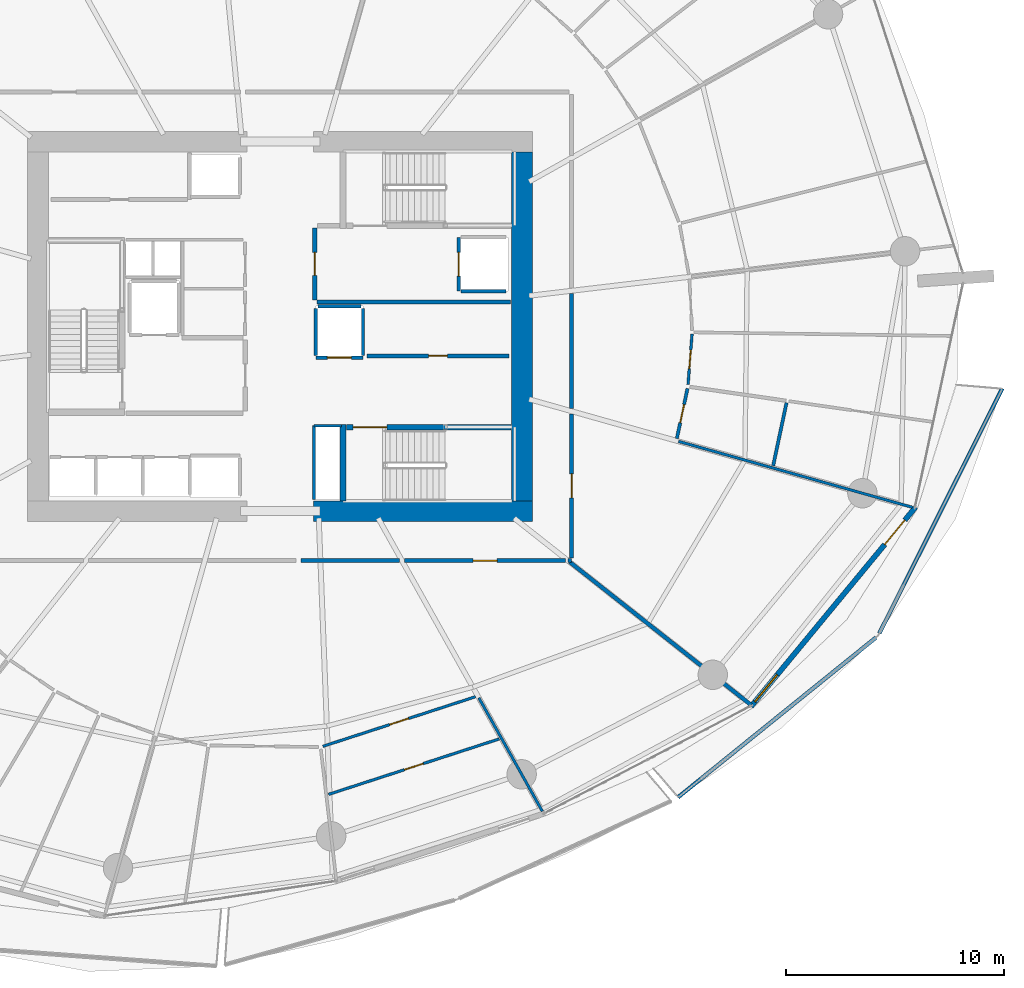
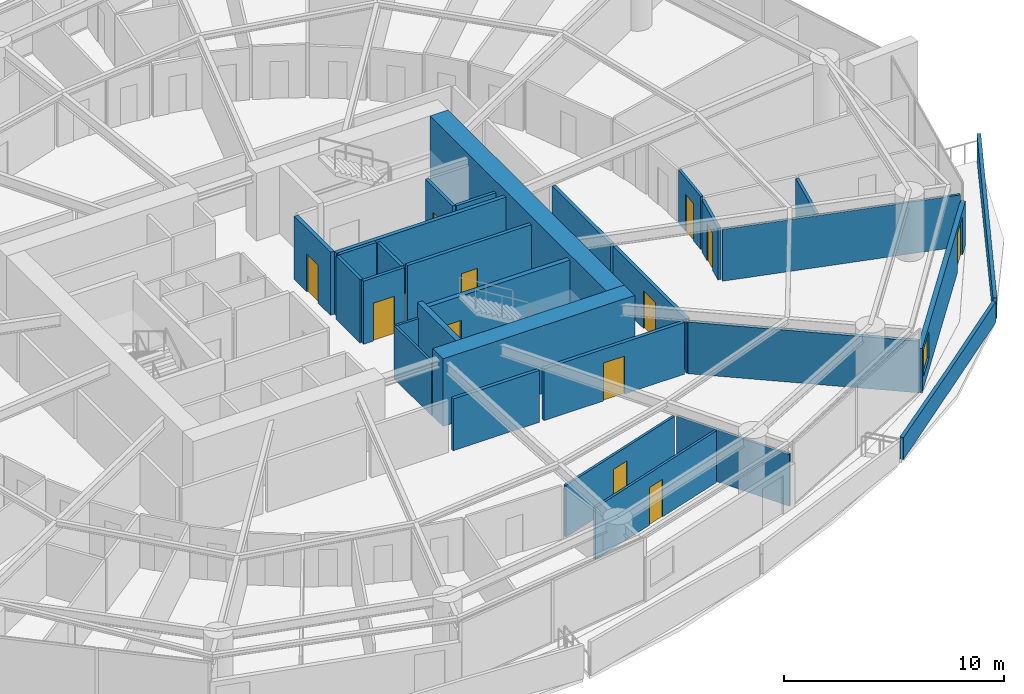
# One storey, part 21 of 31: 31 walls, 12 doors, 1 window, 13 openings.
"""IFC4 building model written with IfcOpenShell, lengths in metres."""

import ifcopenshell
import ifcopenshell.guid

model = None  # the IFC model being written
_history = None  # IfcOwnerHistory: only IFC2X3 demands one
_inside = {}  # id of a spatial element -> (the spatial element, [elements in it])
_under = {}  # id of a project, library or spatial element -> (it, [spatial elements below it])
_declared = {}  # id of a project -> (the project, [libraries it declares])
_typed = {}  # id of a type object -> (the type object, [elements of that type])
_made_of = {}  # id of a material, layer set ... -> (it, [elements and type objects made of it])


def new_model(schema):
    """Start an empty IFC model of exactly this schema.

    Asked for "IFC4X3", IfcOpenShell would pick the latest addendum, in which some entities
    have other attributes; the version numbers below select the first issue.
    IFC2X3 requires an IfcOwnerHistory on every rooted entity: one is made here for all.
    """
    global model, _history
    if schema == "IFC4X3":
        model = ifcopenshell.file(schema_version=(4, 3, 0, 0))
    else:
        model = ifcopenshell.file(schema=schema)
    _inside.clear()
    _under.clear()
    _declared.clear()
    _typed.clear()
    _made_of.clear()
    _history = None
    if model.schema == "IFC2X3":
        org = make("IfcOrganization", Name="unknown")
        user = make(
            "IfcPersonAndOrganization",
            ThePerson=make("IfcPerson", FamilyName="unknown"),
            TheOrganization=org,
        )
        app = make(
            "IfcApplication",
            ApplicationDeveloper=org,
            Version="unknown",
            ApplicationFullName="unknown",
            ApplicationIdentifier="unknown",
        )
        _history = make(
            "IfcOwnerHistory",
            OwningUser=user,
            OwningApplication=app,
            ChangeAction="ADDED",
            CreationDate=0,
        )
    return model


def make(cls, **values):
    """One entity of the class cls with the attributes given. An attribute that is None is left unset."""
    return model.create_entity(
        cls, **{name: value for name, value in values.items() if value is not None}
    )


def rooted(cls, **values):
    """An entity with a GlobalId (a new one), such as an element, a storey or a relation."""
    return make(cls, GlobalId=ifcopenshell.guid.new(), OwnerHistory=_history, **values)


def si_unit(unit_type, name, prefix=None):
    """IfcSIUnit, for example si_unit("LENGTHUNIT", "METRE", prefix="MILLI")."""
    return make("IfcSIUnit", UnitType=unit_type, Prefix=prefix, Name=name)


def assignment(units):
    """IfcUnitAssignment: the units of a project."""
    return None if units is None else make("IfcUnitAssignment", Units=units)


def point(xyz):
    """IfcCartesianPoint."""
    return None if xyz is None else make("IfcCartesianPoint", Coordinates=xyz)


def direction(xyz):
    """IfcDirection."""
    return None if xyz is None else make("IfcDirection", DirectionRatios=xyz)


def frame(location, z_axis=None, x_axis=None):
    """IfcAxis2Placement3D, a coordinate frame: its origin and axes. An axis left out is left unset."""
    return make(
        "IfcAxis2Placement3D",
        Location=point(location),
        Axis=direction(z_axis),
        RefDirection=direction(x_axis),
    )


def frame_2d(location, x_axis=None):
    """IfcAxis2Placement2D, a coordinate frame in the plane: its origin and x axis."""
    return make(
        "IfcAxis2Placement2D", Location=point(location), RefDirection=direction(x_axis)
    )


def origin():
    """The frame at (0, 0, 0) with its axes left unset."""
    return frame((0.0, 0.0, 0.0))


def place(relative_to, where):
    """IfcLocalPlacement: puts the frame where relative to a parent placement (None: the world)."""
    return make(
        "IfcLocalPlacement", PlacementRelTo=relative_to, RelativePlacement=where
    )


def context(
    kind, dimensions, precision=None, world=None, true_north=None, identifier=None
):
    """IfcGeometricRepresentationContext, for example the 3D "Model" context."""
    return make(
        "IfcGeometricRepresentationContext",
        ContextIdentifier=identifier,
        ContextType=kind,
        CoordinateSpaceDimension=dimensions,
        Precision=precision,
        WorldCoordinateSystem=world,
        TrueNorth=true_north,
    )


def subcontext(parent, identifier, kind, view, scale=None):
    """IfcGeometricRepresentationSubContext, for example "Body" below "Model"."""
    return make(
        "IfcGeometricRepresentationSubContext",
        ContextIdentifier=identifier,
        ContextType=kind,
        ParentContext=parent,
        TargetScale=scale,
        TargetView=view,
    )


def project(units=None, contexts=None):
    """IfcProject with its units and contexts."""
    return rooted(
        "IfcProject",
        Name="project",
        RepresentationContexts=contexts,
        UnitsInContext=assignment(units),
    )


def spatial(cls, under=None, at=None, **own):
    """A site, building, storey or space (cls), placed at a placement, below another one or the project."""
    s = rooted(cls, ObjectPlacement=at, **own)
    if under is not None:
        _under.setdefault(under.id(), (under, []))[1].append(s)
    return s


def polyline(points):
    """IfcPolyline through the points."""
    return make("IfcPolyline", Points=[point(p) for p in points])


def profile(cls, at=None, kind="AREA", **sizes):
    """A parametric profile (cls). Its sizes go by their IFC names, for example OverallWidth=200.0."""
    return make(cls, ProfileType=kind, Position=at, **sizes)


def rectangle(**sizes):
    """IfcRectangleProfileDef."""
    return profile("IfcRectangleProfileDef", **sizes)


def outline(outer, holes=None, kind="AREA"):
    """IfcArbitraryClosedProfileDef: a profile drawn as a closed curve; with holes, ...WithVoids."""
    if holes is None:
        return make("IfcArbitraryClosedProfileDef", ProfileType=kind, OuterCurve=outer)
    return make(
        "IfcArbitraryProfileDefWithVoids",
        ProfileType=kind,
        OuterCurve=outer,
        InnerCurves=holes,
    )


def extrude(swept, where, along, depth):
    """IfcExtrudedAreaSolid: the profile swept, set in the frame where, extruded along a direction by depth."""
    return make(
        "IfcExtrudedAreaSolid",
        SweptArea=swept,
        Position=where,
        ExtrudedDirection=direction(along),
        Depth=depth,
    )


def shape(context_of_items, identifier, shape_type, items):
    """IfcShapeRepresentation: the items that make up one representation, for example the "Body"."""
    return make(
        "IfcShapeRepresentation",
        ContextOfItems=context_of_items,
        RepresentationIdentifier=identifier,
        RepresentationType=shape_type,
        Items=items,
    )


def material(Name=None, Category=None):
    """IfcMaterial."""
    return make("IfcMaterial", Name=Name, Category=Category)


def layer(
    of_material, thickness, ventilated=None, Name=None, Category=None, Priority=None
):
    """IfcMaterialLayer: one layer of a wall or slab, of a material (None: an air gap)."""
    return make(
        "IfcMaterialLayer",
        Material=of_material,
        LayerThickness=thickness,
        IsVentilated=ventilated,
        Name=Name,
        Category=Category,
        Priority=Priority,
    )


def layer_set(layers, Name=None):
    """IfcMaterialLayerSet."""
    return make("IfcMaterialLayerSet", MaterialLayers=layers, LayerSetName=Name)


def made_of(thing, what):
    """Note that an element or type object is made of a material, layer set ...; save() writes the relation."""
    if what is not None:
        _made_of.setdefault(what.id(), (what, []))[1].append(thing)
    return thing


def type_object(cls, material=None, **own):
    """A type object (cls), such as IfcWallType, which elements share."""
    return made_of(rooted(cls, **own), material)


def element(
    cls,
    number,
    at=None,
    inside=None,
    cuts=None,
    type_object=None,
    material=None,
    context=None,
    identifier="Body",
    shape_type=None,
    held_by="IfcProductDefinitionShape",
    body=None,
    shapes=None,
    **own,
):
    """One element of the class cls, such as IfcWall. Its Tag is "e" and its number.

    at: its placement. inside: the storey or other place that contains it. cuts: it is an
    opening in that element (IfcRelVoidsElement). A single representation is given by context,
    identifier, shape_type and body (its items); several are given by shapes. held_by: the class
    of the entity that holds the representations. save() writes the other relations.
    """
    e = rooted(cls, Tag="e%d" % number, ObjectPlacement=at, **own)
    if body is not None:
        shapes = [shape(context, identifier, shape_type, body)]
    if shapes is not None:
        e.Representation = make(held_by, Representations=shapes)
    if inside is not None:
        _inside.setdefault(inside.id(), (inside, []))[1].append(e)
    if cuts is not None:
        rooted(
            "IfcRelVoidsElement", RelatingBuildingElement=cuts, RelatedOpeningElement=e
        )
    if type_object is not None:
        _typed.setdefault(type_object.id(), (type_object, []))[1].append(e)
    return made_of(e, material)


def fill(opening, filler):
    """IfcRelFillsElement: the door or window that sits in an opening."""
    return rooted(
        "IfcRelFillsElement",
        RelatingOpeningElement=opening,
        RelatedBuildingElement=filler,
    )


def aggregate(whole, parts):
    """IfcRelAggregates: a whole, such as a stair, and the parts it consists of."""
    return rooted("IfcRelAggregates", RelatingObject=whole, RelatedObjects=parts)


def save(model, path):
    """Write the relations noted so far, then the file.

    IfcRelAggregates (storeys below a building ...), IfcRelContainedInSpatialStructure (elements
    in a storey), IfcRelDefinesByType, IfcRelAssociatesMaterial and IfcRelDeclares: one each for
    every whole, place, type object, material and project.
    """
    for whole, parts in _under.values():
        aggregate(whole, parts)
    for where, things in _inside.values():
        rooted(
            "IfcRelContainedInSpatialStructure",
            RelatedElements=things,
            RelatingStructure=where,
        )
    for kind, things in _typed.values():
        rooted("IfcRelDefinesByType", RelatedObjects=things, RelatingType=kind)
    for what, things in _made_of.values():
        rooted("IfcRelAssociatesMaterial", RelatedObjects=things, RelatingMaterial=what)
    for by, libraries in _declared.values():
        rooted("IfcRelDeclares", RelatingContext=by, RelatedDefinitions=libraries)
    model.write(path)


model = new_model("IFC4")

# Units and contexts
model_context = context("Model", 3, precision=1e-05, world=origin(), true_north=direction((0.0, 1.0)))
body_context = subcontext(model_context, "Body", "Model", "MODEL_VIEW")
ifc_project = project(units=[si_unit("LENGTHUNIT", "METRE"), si_unit("AREAUNIT", "SQUARE_METRE"), si_unit("VOLUMEUNIT", "CUBIC_METRE"), si_unit("PLANEANGLEUNIT", "RADIAN"), si_unit("MASSUNIT", "GRAM", prefix="KILO")], contexts=[model_context])

# Site, building, storey
site_placement = place(None, origin())
site = spatial("IfcSite", under=ifc_project, at=site_placement, CompositionType="ELEMENT")
building_placement = place(site_placement, origin())
building = spatial("IfcBuilding", under=site, at=building_placement, Name="Kazma Halo Residences", CompositionType="ELEMENT")
storey_placement = place(building_placement, frame((0.0, 0.0, 48.89990234375)))
storey = spatial("IfcBuildingStorey", under=building, at=storey_placement, Name="L11", CompositionType="ELEMENT", Elevation=48.89990234375)

# Walls
ifc_material_1 = material(Name="White Concrete C50/60 Balustrade", Category="concrete")
ifc_layer_1 = layer(ifc_material_1, 0.179931640625)
ifc_layer_set_1 = layer_set([ifc_layer_1], Name="White Concrete C50/60 Balustrade")
wall_type_1 = type_object("IfcWallType", Name="WL-BAL-WAVE-180", PredefinedType="PARAPET", material=ifc_layer_set_1)
wall_1_placement = place(storey_placement, frame((66.681884765625, 20.39501953125, 0.0), z_axis=(0.0, 0.0, 1.0), x_axis=(0.778164801363, 0.628060141961, 0.0)))
element("IfcWall", 1, at=wall_1_placement, inside=storey, type_object=wall_type_1, Name="L11 white wave balustrade wall SE.1", PredefinedType="PARAPET", context=body_context, shape_type="SweptSolid", body=[
    extrude(outline(polyline([(0.0, 0.0), (11.676513671875, 0.0), (11.676513671875, 1.148193359375), (5.838134765625, 1.127197265625), (0.0, 1.22412109375), (0.0, 0.0)])), frame((0.0, 0.08984375, 0.0), z_axis=(0.0, -1.0, 0.0), x_axis=(1.0, 0.0, 0.0)), (0.0, 0.0, 1.0), 0.179931640625),
])
wall_2_placement = place(storey_placement, frame((75.915283203125, 27.9111328125, 0.0), z_axis=(0.0, 0.0, 1.0), x_axis=(0.448439969312, 0.893812952425, 0.0)))
element("IfcWall", 2, at=wall_2_placement, inside=storey, type_object=wall_type_1, Name="L11 white wave balustrade wall SE.2", PredefinedType="PARAPET", context=body_context, shape_type="SweptSolid", body=[
    extrude(outline(polyline([(0.0, 0.0), (12.5771484375, 0.0), (12.5771484375, 1.483154296875), (6.28857421875, 1.2841796875), (0.0, 1.148193359375), (0.0, 0.0)])), frame((0.0, 0.08984375, 0.0), z_axis=(0.0, -1.0, 0.0), x_axis=(1.0, 0.0, 0.0)), (0.0, 0.0, 1.0), 0.179931640625),
])
ifc_material_2 = material(Name="Concrete C80/95", Category="concrete")
ifc_layer_2 = layer(ifc_material_2, 0.949951171875)
ifc_layer_set_2 = layer_set([ifc_layer_2], Name="Concrete C80/95")
wall_type_2 = type_object("IfcWallType", Name="WL-CORE-950", PredefinedType="SHEAR", material=ifc_layer_set_2)
wall_3_placement = place(storey_placement, frame((49.949951171875, 33.52490234375, 0.0), z_axis=(0.0, 0.0, 1.0), x_axis=(1.0, 0.0, 0.0)))
element("IfcWall", 3, at=wall_3_placement, inside=storey, type_object=wall_type_2, Name="L11 central core shear wall SE", PredefinedType="SHEAR", context=body_context, shape_type="SweptSolid", body=[
    extrude(rectangle(XDim=10.050048828125, YDim=0.949951171875, at=frame_2d((5.02490234375, 0.0))), origin(), (0.0, 0.0, 1.0), 3.75),
])
wall_4_placement = place(storey_placement, frame((59.52490234375, 34.0, 0.0), z_axis=(0.0, 0.0, 1.0), x_axis=(0.0, 1.0, 0.0)))
element("IfcWall", 4, at=wall_4_placement, inside=storey, type_object=wall_type_2, Name="L11 central core shear wall E", PredefinedType="SHEAR", context=body_context, shape_type="SweptSolid", body=[
    extrude(rectangle(XDim=16.0, YDim=0.949951171875, at=frame_2d((8.0, 0.0))), origin(), (0.0, 0.0, 1.0), 3.75),
])
ifc_material_3 = material(Name="Concrete C60/75", Category="concrete")
ifc_layer_3 = layer(ifc_material_3, 0.280029296875)
ifc_layer_set_3 = layer_set([ifc_layer_3], Name="Concrete C60/75")
wall_type_3 = type_object("IfcWallType", Name="WL-CORE-ST-280", PredefinedType="SHEAR", material=ifc_layer_set_3)
wall_5_placement = place(storey_placement, frame((51.31005859375, 34.0, 0.0), z_axis=(0.0, 0.0, 1.0), x_axis=(0.0, 1.0, 0.0)))
element("IfcWall", 5, at=wall_5_placement, inside=storey, type_object=wall_type_3, Name="L11 stairwell bearing wall ST03-W", PredefinedType="SHEAR", context=body_context, shape_type="SweptSolid", body=[
    extrude(rectangle(XDim=3.5, YDim=0.280029296875, at=frame_2d((1.75, 0.0))), origin(), (0.0, 0.0, 1.0), 3.75),
])
ifc_material_4 = material(Name="Acoustic Twin-Stud Gypsum")
ifc_layer_4 = layer(ifc_material_4, 0.179931640625)
ifc_layer_set_4 = layer_set([ifc_layer_4], Name="Acoustic Twin-Stud Gypsum")
wall_type_4 = type_object("IfcWallType", Name="WL-DEM-180", PredefinedType="PARTITIONING", material=ifc_layer_set_4)
wall_6_placement = place(storey_placement, frame((61.72265625, 31.181884765625, 0.0), z_axis=(0.0, 0.0, 1.0), x_axis=(0.785321288316, -0.619088421889, 0.0)))
element("IfcWall", 6, at=wall_6_placement, inside=storey, type_object=wall_type_4, Name="L11 apartment demising radial wall 13", PredefinedType="PARTITIONING", context=body_context, shape_type="SweptSolid", body=[
    extrude(rectangle(XDim=10.597900390625, YDim=0.179931640625, at=frame_2d((5.298828125, 0.0))), origin(), (0.0, 0.0, 1.0), 2.8671875),
])

# Wall, opening, door
wall_7_placement = place(storey_placement, frame((54.140380859375, 31.25, 0.0), z_axis=(0.0, 0.0, 1.0), x_axis=(1.0, 0.0, 0.0)))
wall_7 = element("IfcWall", 7, at=wall_7_placement, inside=storey, type_object=wall_type_4, Name="L11 Apartment 2 entrance corridor wall", PredefinedType="PARTITIONING", context=body_context, shape_type="SweptSolid", body=[
    extrude(rectangle(XDim=7.3759765625, YDim=0.179931640625, at=frame_2d((3.68798828125, 0.0))), origin(), (0.0, 0.0, 1.0), 2.8671875),
])
opening_1_placement = place(wall_7_placement, frame((3.137939453125, 0.0, 0.0)))
opening_1 = element("IfcOpeningElement", 8, at=opening_1_placement, cuts=wall_7, Name="Opening DA-1100", PredefinedType="OPENING", context=body_context, shape_type="SweptSolid", body=[
    extrude(rectangle(XDim=1.10009765625, YDim=2.10009765625, at=frame_2d((0.550048828125, 1.050048828125))), frame((0.0, 0.099853515625, 0.0), z_axis=(0.0, -1.0, 0.0), x_axis=(1.0, 0.0, 0.0)), (0.0, 0.0, 1.0), 0.199951171875),
])
ifc_material_5 = material(Name="Acoustic Walnut Fire Leaf")
door_type_1 = type_object("IfcDoorType", Name="DR-FD60-1100", OperationType="NOTDEFINED", PredefinedType="DOOR", material=ifc_material_5)
door_1_placement = place(opening_1_placement, origin())
door_1 = element("IfcDoor", 9, at=door_1_placement, inside=storey, type_object=door_type_1, Name="L11 Apartment 2 entrance fire door", OperationType="SINGLE_SWING_RIGHT", OverallHeight=2.10009765625, OverallWidth=1.10009765625, PredefinedType="DOOR", context=body_context, shape_type="SweptSolid", body=[
    extrude(rectangle(XDim=1.10009765625, YDim=2.10009765625, at=frame_2d((0.550048828125, 1.050048828125))), frame((0.0, 0.02490234375, 0.0), z_axis=(0.0, -1.0, 0.0), x_axis=(1.0, 0.0, 0.0)), (0.0, 0.0, 1.0), 0.050048828125),
])
fill(opening_1, door_1)

# Walls
wall_8_placement = place(storey_placement, frame((49.392333984375, 31.25, 0.0), z_axis=(0.0, 0.0, 1.0), x_axis=(1.0, 0.0, 0.0)))
element("IfcWall", 10, at=wall_8_placement, inside=storey, type_object=wall_type_4, Name="L11 Apartment 2 inner wall 11", PredefinedType="PARTITIONING", context=body_context, shape_type="SweptSolid", body=[
    extrude(rectangle(XDim=4.508056640625, YDim=0.179931640625, at=frame_2d((2.25390625, 0.0))), origin(), (0.0, 0.0, 1.0), 2.8671875),
])
wall_9_placement = place(storey_placement, frame((61.63623046875, 31.25, 0.0), z_axis=(0.0, 0.0, 1.0), x_axis=(1.0, 0.0, 0.0)))
element("IfcWall", 11, at=wall_9_placement, inside=storey, type_object=wall_type_4, Name="L11 Apartment 3 entrance corridor wall", PredefinedType="PARTITIONING", context=body_context, shape_type="SweptSolid", body=[
    extrude(rectangle(XDim=0.163818359375, YDim=0.179931640625, at=frame_2d((0.08203125, 0.0))), origin(), (0.0, 0.0, 1.0), 2.8671875),
])

# Wall, opening, door
wall_10_placement = place(storey_placement, frame((61.800048828125, 31.3701171875, 0.0), z_axis=(0.0, 0.0, 1.0), x_axis=(0.0, 1.0, 0.0)))
wall_10 = element("IfcWall", 12, at=wall_10_placement, inside=storey, type_object=wall_type_4, Name="L11 Apartment 3 entrance corridor wall", PredefinedType="PARTITIONING", context=body_context, shape_type="SweptSolid", body=[
    extrude(rectangle(XDim=6.617919921875, YDim=0.179931640625, at=frame_2d((3.30908203125, 0.0))), origin(), (0.0, 0.0, 1.0), 2.8671875),
])
opening_2_placement = place(wall_10_placement, frame((2.759033203125, 0.0, 0.0)))
opening_2 = element("IfcOpeningElement", 13, at=opening_2_placement, cuts=wall_10, Name="Opening DA-1100", PredefinedType="OPENING", context=body_context, shape_type="SweptSolid", body=[
    extrude(rectangle(XDim=1.10009765625, YDim=2.10009765625, at=frame_2d((0.550048828125, 1.050048828125))), frame((0.0, 0.099853515625, 0.0), z_axis=(0.0, -1.0, 0.0), x_axis=(1.0, 0.0, 0.0)), (0.0, 0.0, 1.0), 0.199951171875),
])
door_2_placement = place(opening_2_placement, origin())
door_2 = element("IfcDoor", 14, at=door_2_placement, inside=storey, type_object=door_type_1, Name="L11 Apartment 3 entrance fire door", OperationType="SINGLE_SWING_LEFT", OverallHeight=2.10009765625, OverallWidth=1.10009765625, PredefinedType="DOOR", context=body_context, shape_type="SweptSolid", body=[
    extrude(rectangle(XDim=1.10009765625, YDim=2.10009765625, at=frame_2d((0.550048828125, 1.050048828125))), frame((0.0, 0.02490234375, 0.0), z_axis=(0.0, -1.0, 0.0), x_axis=(1.0, 0.0, 0.0)), (0.0, 0.0, 1.0), 0.050048828125),
])
fill(opening_2, door_2)

# Wall
wall_11_placement = place(storey_placement, frame((61.800048828125, 38.22802734375, 0.0), z_axis=(0.0, 0.0, 1.0), x_axis=(0.0, 1.0, 0.0)))
element("IfcWall", 15, at=wall_11_placement, inside=storey, type_object=wall_type_4, Name="L11 Apartment 3 inner wall 14", PredefinedType="PARTITIONING", context=body_context, shape_type="SweptSolid", body=[
    extrude(rectangle(XDim=5.28515625, YDim=0.179931640625, at=frame_2d((2.642578125, 0.0))), origin(), (0.0, 0.0, 1.0), 2.8671875),
])

# Wall, openings, door, window
ifc_material_6 = material(Name="Insulated Pale-Metal Composite Wall")
ifc_layer_5 = layer(ifc_material_6, 0.239990234375)
ifc_layer_set_5 = layer_set([ifc_layer_5], Name="Insulated Pale-Metal Composite Wall")
wall_type_5 = type_object("IfcWallType", Name="WL-EXT-HOST-240", PredefinedType="SOLIDWALL", material=ifc_layer_set_5)
wall_12_placement = place(storey_placement, frame((70.033203125, 24.566650390625, 0.0), z_axis=(0.0, 0.0, 1.0), x_axis=(0.636674332663, 0.771132799281, 0.0)))
wall_12 = element("IfcWall", 16, at=wall_12_placement, inside=storey, type_object=wall_type_5, Name="L11 exterior terrace-access wall B14", PredefinedType="SOLIDWALL", context=body_context, shape_type="SweptSolid", body=[
    extrude(rectangle(XDim=11.851318359375, YDim=0.239990234375, at=frame_2d((5.92578125, 0.0))), origin(), (0.0, 0.0, 1.0), 2.4501953125),
])
opening_3_placement = place(wall_12_placement, frame((9.631103515625, 0.0, 0.0)))
opening_3 = element("IfcOpeningElement", 17, at=opening_3_placement, cuts=wall_12, Name="Opening DTR-1600", PredefinedType="OPENING", context=body_context, shape_type="SweptSolid", body=[
    extrude(rectangle(XDim=1.449951171875, YDim=2.14990234375, at=frame_2d((0.72509765625, 1.074951171875))), frame((0.0, 0.1298828125, 0.0), z_axis=(0.0, -1.0, 0.0), x_axis=(1.0, 0.0, 0.0)), (0.0, 0.0, 1.0), 0.260009765625),
])
opening_4_placement = place(wall_12_placement, frame((0.280029296875, 0.0, 0.64990234375)))
opening_4 = element("IfcOpeningElement", 18, at=opening_4_placement, cuts=wall_12, Name="Opening W-1800", PredefinedType="OPENING", context=body_context, shape_type="SweptSolid", body=[
    extrude(rectangle(XDim=1.60009765625, YDim=1.5, at=frame_2d((0.800048828125, 0.75))), frame((0.0, 0.1298828125, 0.0), z_axis=(0.0, -1.0, 0.0), x_axis=(1.0, 0.0, 0.0)), (0.0, 0.0, 1.0), 0.260009765625),
])
ifc_material_7 = material(Name="Aluminium AW-6063 T6 Double-Glazed Terrace Door", Category="aluminium")
door_type_2 = type_object("IfcDoorType", Name="DR-EXT-TERR-1600", OperationType="NOTDEFINED", PredefinedType="DOOR", material=ifc_material_7)
door_3_placement = place(opening_3_placement, origin())
door_3 = element("IfcDoor", 19, at=door_3_placement, inside=storey, type_object=door_type_2, Name="L11 B14 balcony terrace door", OperationType="DOUBLE_DOOR_SLIDING", OverallHeight=2.14990234375, OverallWidth=1.449951171875, PredefinedType="DOOR", context=body_context, shape_type="SweptSolid", body=[
    extrude(rectangle(XDim=1.449951171875, YDim=2.14990234375, at=frame_2d((0.72509765625, 1.074951171875))), frame((0.0, 0.02490234375, 0.0), z_axis=(0.0, -1.0, 0.0), x_axis=(1.0, 0.0, 0.0)), (0.0, 0.0, 1.0), 0.050048828125),
])
fill(opening_3, door_3)
ifc_material_8 = material(Name="Clear Triple-Silver Low-E Glass in Aluminium AW-6063 T6 Frame", Category="aluminium")
window_type = type_object("IfcWindowType", Name="WIN-RES-1800", PartitioningType="DOUBLE_PANEL_VERTICAL", PredefinedType="WINDOW", material=ifc_material_8)
window_placement = place(opening_4_placement, origin())
window = element("IfcWindow", 20, at=window_placement, inside=storey, type_object=window_type, Name="L11 B14 apartment window", OverallHeight=1.5, OverallWidth=1.60009765625, PartitioningType="SINGLE_PANEL", PredefinedType="WINDOW", context=body_context, shape_type="SweptSolid", body=[
    extrude(rectangle(XDim=1.60009765625, YDim=1.5, at=frame_2d((0.800048828125, 0.75))), frame((0.0, 0.030029296875, 0.0), z_axis=(0.0, -1.0, 0.0), x_axis=(1.0, 0.0, 0.0)), (0.0, 0.0, 1.0), 0.06005859375),
])
fill(opening_4, window)

# Wall, opening, door
ifc_material_9 = material(Name="Fire-Rated Blockwork Masonry", Category="masonry")
ifc_layer_6 = layer(ifc_material_9, 0.199951171875)
ifc_layer_set_6 = layer_set([ifc_layer_6], Name="Fire-Rated Blockwork Masonry")
wall_type_6 = type_object("IfcWallType", Name="WL-FLB-200", PredefinedType="PARTITIONING", material=ifc_layer_set_6)
wall_13_placement = place(storey_placement, frame((56.6201171875, 46.080078125, 0.0), z_axis=(0.0, 0.0, 1.0), x_axis=(0.0, -1.0, 0.0)))
wall_13 = element("IfcWall", 21, at=wall_13_placement, inside=storey, type_object=wall_type_6, Name="L11 lift shaft FL-02 front wall", PredefinedType="PARTITIONING", context=body_context, shape_type="SweptSolid", body=[
    extrude(rectangle(XDim=2.4599609375, YDim=0.159912109375, at=frame_2d((1.22998046875, 0.0))), origin(), (0.0, 0.0, 1.0), 3.5),
])
opening_5_placement = place(wall_13_placement, frame((0.679931640625, 0.0, 0.0)))
opening_5 = element("IfcOpeningElement", 22, at=opening_5_placement, cuts=wall_13, Name="Opening LD-FL-02", PredefinedType="OPENING", context=body_context, shape_type="SweptSolid", body=[
    extrude(rectangle(XDim=1.10009765625, YDim=2.10009765625, at=frame_2d((0.550048828125, 1.050048828125))), frame((0.0, 0.08984375, 0.0), z_axis=(0.0, -1.0, 0.0), x_axis=(1.0, 0.0, 0.0)), (0.0, 0.0, 1.0), 0.179931640625),
])
ifc_material_10 = material(Name="Stainless Steel Fire-Rated", Category="steel")
door_type_3 = type_object("IfcDoorType", Name="DR-LIFT-SLD-1100", OperationType="DOUBLE_DOOR_SLIDING", PredefinedType="DOOR", material=ifc_material_10)
door_4_placement = place(opening_5_placement, origin())
door_4 = element("IfcDoor", 23, at=door_4_placement, inside=storey, type_object=door_type_3, Name="L11 lift FL-02 sliding landing door", OperationType="DOUBLE_DOOR_SLIDING", OverallHeight=2.10009765625, OverallWidth=1.10009765625, PredefinedType="DOOR", context=body_context, shape_type="SweptSolid", body=[
    extrude(rectangle(XDim=1.10009765625, YDim=2.10009765625, at=frame_2d((0.550048828125, 1.050048828125))), frame((0.0, 0.02490234375, 0.0), z_axis=(0.0, -1.0, 0.0), x_axis=(1.0, 0.0, 0.0)), (0.0, 0.0, 1.0), 0.050048828125),
])
fill(opening_5, door_4)

# Wall
wall_14_placement = place(storey_placement, frame((56.719970703125, 43.6201171875, 0.0), z_axis=(0.0, 0.0, 1.0), x_axis=(1.0, 0.0, 0.0)))
element("IfcWall", 24, at=wall_14_placement, inside=storey, type_object=wall_type_6, Name="L11 lift shaft FL-02 side wall S", PredefinedType="PARTITIONING", context=body_context, shape_type="SweptSolid", body=[
    extrude(rectangle(XDim=2.06005859375, YDim=0.159912109375, at=frame_2d((1.030029296875, 0.0))), origin(), (0.0, 0.0, 1.0), 3.5),
])

# Wall, opening, door
wall_15_placement = place(storey_placement, frame((52.22998046875, 40.570068359375, 0.0), z_axis=(0.0, 0.0, 1.0), x_axis=(-1.0, 0.0, 0.0)))
wall_15 = element("IfcWall", 25, at=wall_15_placement, inside=storey, type_object=wall_type_6, Name="L11 lift shaft SV-01 front wall", PredefinedType="PARTITIONING", context=body_context, shape_type="SweptSolid", body=[
    extrude(rectangle(XDim=2.159912109375, YDim=0.159912109375, at=frame_2d((1.080078125, 0.0))), origin(), (0.0, 0.0, 1.0), 3.5),
])
opening_6_placement = place(wall_15_placement, frame((0.530029296875, 0.0, 0.0)))
opening_6 = element("IfcOpeningElement", 26, at=opening_6_placement, cuts=wall_15, Name="Opening LD-SV-01", PredefinedType="OPENING", context=body_context, shape_type="SweptSolid", body=[
    extrude(rectangle(XDim=1.10009765625, YDim=2.10009765625, at=frame_2d((0.550048828125, 1.050048828125))), frame((0.0, 0.08984375, 0.0), z_axis=(0.0, -1.0, 0.0), x_axis=(1.0, 0.0, 0.0)), (0.0, 0.0, 1.0), 0.179931640625),
])
door_5_placement = place(opening_6_placement, origin())
door_5 = element("IfcDoor", 27, at=door_5_placement, inside=storey, type_object=door_type_3, Name="L11 lift SV-01 sliding landing door", OperationType="DOUBLE_DOOR_SLIDING", OverallHeight=2.10009765625, OverallWidth=1.10009765625, PredefinedType="DOOR", context=body_context, shape_type="SweptSolid", body=[
    extrude(rectangle(XDim=1.10009765625, YDim=2.10009765625, at=frame_2d((0.550048828125, 1.050048828125))), frame((0.0, 0.02490234375, 0.0), z_axis=(0.0, -1.0, 0.0), x_axis=(1.0, 0.0, 0.0)), (0.0, 0.0, 1.0), 0.050048828125),
])
fill(opening_6, door_5)

# Walls
for number, where, z_axis, x_axis, name in (
    (28, (52.22998046875, 40.669921875, 0.0), (0.0, 0.0, 1.0), (0.0, 1.0, 0.0), "L11 lift shaft SV-01 side wall E"),
    (29, (50.070068359375, 40.669921875, 0.0), (0.0, 0.0, 1.0), (0.0, 1.0, 0.0), "L11 lift shaft SV-01 side wall W"),
):
    element("IfcWall", number, at=place(storey_placement, frame(where, z_axis=z_axis, x_axis=x_axis)), inside=storey, type_object=wall_type_6, Name=name, PredefinedType="PARTITIONING", context=body_context, shape_type="SweptSolid", body=[
        extrude(rectangle(XDim=2.16015625, YDim=0.159912109375, at=frame_2d((1.080078125, 0.0))), origin(), (0.0, 0.0, 1.0), 3.5),
    ])
wall_16_placement = place(storey_placement, frame((50.169921875, 42.929931640625, 0.0), z_axis=(0.0, 0.0, 1.0), x_axis=(1.0, 0.0, 0.0)))
element("IfcWall", 30, at=wall_16_placement, inside=storey, type_object=wall_type_6, Name="L11 lift shaft SV-01 side wall N", PredefinedType="PARTITIONING", context=body_context, shape_type="SweptSolid", body=[
    extrude(rectangle(XDim=1.9599609375, YDim=0.159912109375, at=frame_2d((0.97998046875, 0.0))), origin(), (0.0, 0.0, 1.0), 3.5),
])

# Wall, opening, door
wall_17_placement = place(storey_placement, frame((52.419921875, 40.64990234375, 0.0), z_axis=(0.0, 0.0, 1.0), x_axis=(1.0, 0.0, 0.0)))
wall_17 = element("IfcWall", 31, at=wall_17_placement, inside=storey, type_object=wall_type_6, Name="L11 core east reserve wall", PredefinedType="PARTITIONING", context=body_context, shape_type="SweptSolid", body=[
    extrude(rectangle(XDim=6.5, YDim=0.179931640625, at=frame_2d((3.25, 0.0))), origin(), (0.0, 0.0, 1.0), 3.5),
])
opening_7_placement = place(wall_17_placement, frame((2.824951171875, 0.0, 0.0)))
opening_7 = element("IfcOpeningElement", 32, at=opening_7_placement, cuts=wall_17, Name="Opening DS-850", PredefinedType="OPENING", context=body_context, shape_type="SweptSolid", body=[
    extrude(rectangle(XDim=0.85009765625, YDim=2.06005859375, at=frame_2d((0.425048828125, 1.030029296875))), frame((0.0, 0.099853515625, 0.0), z_axis=(0.0, -1.0, 0.0), x_axis=(1.0, 0.0, 0.0)), (0.0, 0.0, 1.0), 0.199951171875),
])
ifc_material_11 = material(Name="Painted Steel Access Leaf", Category="steel")
door_type_4 = type_object("IfcDoorType", Name="DR-SVC-850", OperationType="NOTDEFINED", PredefinedType="DOOR", material=ifc_material_11)
door_6_placement = place(opening_7_placement, origin())
door_6 = element("IfcDoor", 33, at=door_6_placement, inside=storey, type_object=door_type_4, Name="L11 core east reserve door", OperationType="SINGLE_SWING_RIGHT", OverallHeight=2.06005859375, OverallWidth=0.85009765625, PredefinedType="DOOR", context=body_context, shape_type="SweptSolid", body=[
    extrude(rectangle(XDim=0.85009765625, YDim=2.06005859375, at=frame_2d((0.425048828125, 1.030029296875))), frame((0.0, 0.02490234375, 0.0), z_axis=(0.0, -1.0, 0.0), x_axis=(1.0, 0.0, 0.0)), (0.0, 0.0, 1.0), 0.050048828125),
])
fill(opening_7, door_6)

# Wall
wall_18_placement = place(storey_placement, frame((50.1201171875, 43.1201171875, 0.0), z_axis=(0.0, 0.0, 1.0), x_axis=(1.0, 0.0, 0.0)))
element("IfcWall", 34, at=wall_18_placement, inside=storey, type_object=wall_type_6, Name="L11 east firefighting lobby south smoke wall", PredefinedType="PARTITIONING", context=body_context, shape_type="SweptSolid", body=[
    extrude(rectangle(XDim=8.8798828125, YDim=0.199951171875, at=frame_2d((4.43994140625, 0.0))), origin(), (0.0, 0.0, 1.0), 3.5),
])

# Wall, opening, door
wall_19_placement = place(storey_placement, frame((50.02001953125, 43.219970703125, 0.0), z_axis=(0.0, 0.0, 1.0), x_axis=(0.0, 1.0, 0.0)))
wall_19 = element("IfcWall", 35, at=wall_19_placement, inside=storey, type_object=wall_type_6, Name="L11 east firefighting lobby smoke wall", PredefinedType="PARTITIONING", context=body_context, shape_type="SweptSolid", body=[
    extrude(rectangle(XDim=3.300048828125, YDim=0.199951171875, at=frame_2d((1.64990234375, 0.0))), origin(), (0.0, 0.0, 1.0), 3.5),
])
opening_8_placement = place(wall_19_placement, frame((1.125, 0.0, 0.0)))
opening_8 = element("IfcOpeningElement", 36, at=opening_8_placement, cuts=wall_19, Name="Opening D-FLE", PredefinedType="OPENING", context=body_context, shape_type="SweptSolid", body=[
    extrude(rectangle(XDim=1.050048828125, YDim=2.10009765625, at=frame_2d((0.52490234375, 1.050048828125))), frame((0.0, 0.10986328125, 0.0), z_axis=(0.0, -1.0, 0.0), x_axis=(1.0, 0.0, 0.0)), (0.0, 0.0, 1.0), 0.219970703125),
])
ifc_material_12 = material(Name="Fire-Rated Steel Leaf", Category="steel")
door_type_5 = type_object("IfcDoorType", Name="DR-FD90-1050", OperationType="NOTDEFINED", PredefinedType="DOOR", material=ifc_material_12)
door_7_placement = place(opening_8_placement, origin())
door_7 = element("IfcDoor", 37, at=door_7_placement, inside=storey, type_object=door_type_5, Name="L11 east firefighting lobby smoke door", OperationType="SINGLE_SWING_LEFT", OverallHeight=2.10009765625, OverallWidth=1.050048828125, PredefinedType="DOOR", context=body_context, shape_type="SweptSolid", body=[
    extrude(rectangle(XDim=1.050048828125, YDim=2.10009765625, at=frame_2d((0.52490234375, 1.050048828125))), frame((0.0, 0.02490234375, 0.0), z_axis=(0.0, -1.0, 0.0), x_axis=(1.0, 0.0, 0.0)), (0.0, 0.0, 1.0), 0.050048828125),
])
fill(opening_8, door_7)

# Walls
ifc_material_13 = material(Name="Gypsum Plasterboard Partition")
ifc_layer_7 = layer(ifc_material_13, 0.125)
ifc_layer_set_7 = layer_set([ifc_layer_7], Name="Gypsum Plasterboard Partition")
wall_type_7 = type_object("IfcWallType", Name="WL-PART-125", PredefinedType="PARTITIONING", material=ifc_layer_set_7)
wall_20_placement = place(storey_placement, frame((49.97998046875, 34.06005859375, 0.0), z_axis=(0.0, 0.0, 1.0), x_axis=(0.0, 1.0, 0.0)))
element("IfcWall", 38, at=wall_20_placement, inside=storey, type_object=wall_type_7, Name="L11 standpipe riser wall", PredefinedType="PARTITIONING", context=body_context, shape_type="SweptSolid", body=[
    extrude(rectangle(XDim=3.39990234375, YDim=0.125, at=frame_2d((1.699951171875, 0.0))), origin(), (0.0, 0.0, 1.0), 2.940185546875),
])
wall_21_placement = place(storey_placement, frame((49.97998046875, 37.43994140625, 0.0), z_axis=(0.0, 0.0, 1.0), x_axis=(1.0, 0.0, 0.0)))
element("IfcWall", 39, at=wall_21_placement, inside=storey, type_object=wall_type_7, Name="L11 standpipe riser north wall", PredefinedType="PARTITIONING", context=body_context, shape_type="SweptSolid", body=[
    extrude(rectangle(XDim=1.260009765625, YDim=0.125, at=frame_2d((0.6298828125, 0.0))), origin(), (0.0, 0.0, 1.0), 2.940185546875),
])
wall_22_placement = place(storey_placement, frame((57.544921875, 24.956787109375, 0.0), z_axis=(0.0, 0.0, 1.0), x_axis=(0.488592145891, -0.872512300758, 0.0)))
element("IfcWall", 40, at=wall_22_placement, inside=storey, type_object=wall_type_7, Name="L11 Apartment 2 living radial partition 11", PredefinedType="PARTITIONING", context=body_context, shape_type="SweptSolid", body=[
    extrude(rectangle(XDim=5.961669921875, YDim=0.125, at=frame_2d((2.98095703125, 0.0))), origin(), (0.0, 0.0, 1.0), 2.8671875),
])

# Wall, opening, door
wall_23_placement = place(storey_placement, frame((50.388916015625, 22.734619140625, 0.0), z_axis=(0.0, 0.0, 1.0), x_axis=(0.951050149939, 0.309036587317, 0.0)))
wall_23 = element("IfcWall", 41, at=wall_23_placement, inside=storey, type_object=wall_type_7, Name="L11 Apartment 2 Outer Study hall wall", PredefinedType="PARTITIONING", context=body_context, shape_type="SweptSolid", body=[
    extrude(rectangle(XDim=7.36279296875, YDim=0.125, at=frame_2d((3.681396484375, 0.0))), origin(), (0.0, 0.0, 1.0), 2.8671875),
])
opening_9_placement = place(wall_23_placement, frame((3.2314453125, 0.0, 0.0)))
opening_9 = element("IfcOpeningElement", 42, at=opening_9_placement, cuts=wall_23, Name="Opening DI-950", PredefinedType="OPENING", context=body_context, shape_type="SweptSolid", body=[
    extrude(rectangle(XDim=0.89990234375, YDim=2.080078125, at=frame_2d((0.449951171875, 1.0400390625))), frame((0.0, 0.072509765625, 0.0), z_axis=(0.0, -1.0, 0.0), x_axis=(1.0, 0.0, 0.0)), (0.0, 0.0, 1.0), 0.14501953125),
])
ifc_material_14 = material(Name="Timber Veneer Flush Leaf", Category="wood")
door_type_6 = type_object("IfcDoorType", Name="DR-INT-950", OperationType="NOTDEFINED", PredefinedType="DOOR", material=ifc_material_14)
door_8_placement = place(opening_9_placement, origin())
door_8 = element("IfcDoor", 43, at=door_8_placement, inside=storey, type_object=door_type_6, Name="L11 Apartment 2 Outer Study door", OperationType="SINGLE_SWING_LEFT", OverallHeight=2.080078125, OverallWidth=0.89990234375, PredefinedType="DOOR", context=body_context, shape_type="SweptSolid", body=[
    extrude(rectangle(XDim=0.89990234375, YDim=2.080078125, at=frame_2d((0.449951171875, 1.0400390625))), frame((0.0, 0.02490234375, 0.0), z_axis=(0.0, -1.0, 0.0), x_axis=(1.0, 0.0, 0.0)), (0.0, 0.0, 1.0), 0.050048828125),
])
fill(opening_9, door_8)

wall_24_placement = place(storey_placement, frame((50.64990234375, 20.530029296875, 0.0), z_axis=(0.0, 0.0, 1.0), x_axis=(0.951053253308, 0.309027036638, 0.0)))
wall_24 = element("IfcWall", 44, at=wall_24_placement, inside=storey, type_object=wall_type_7, Name="L11 Apartment 2 Corner Bedroom divider wall", PredefinedType="PARTITIONING", context=body_context, shape_type="SweptSolid", body=[
    extrude(rectangle(XDim=8.22900390625, YDim=0.125, at=frame_2d((4.114501953125, 0.0))), origin(), (0.0, 0.0, 1.0), 2.8671875),
])
opening_10_placement = place(wall_24_placement, frame((3.66455078125, 0.0, 0.0)))
opening_10 = element("IfcOpeningElement", 45, at=opening_10_placement, cuts=wall_24, Name="Opening DI-950", PredefinedType="OPENING", context=body_context, shape_type="SweptSolid", body=[
    extrude(rectangle(XDim=0.89990234375, YDim=2.080078125, at=frame_2d((0.449951171875, 1.0400390625))), frame((0.0, 0.072509765625, 0.0), z_axis=(0.0, -1.0, 0.0), x_axis=(1.0, 0.0, 0.0)), (0.0, 0.0, 1.0), 0.14501953125),
])
door_9_placement = place(opening_10_placement, origin())
door_9 = element("IfcDoor", 46, at=door_9_placement, inside=storey, type_object=door_type_6, Name="L11 Apartment 2 Corner Bedroom door", OperationType="SINGLE_SWING_RIGHT", OverallHeight=2.080078125, OverallWidth=0.89990234375, PredefinedType="DOOR", context=body_context, shape_type="SweptSolid", body=[
    extrude(rectangle(XDim=0.89990234375, YDim=2.080078125, at=frame_2d((0.449951171875, 1.0400390625))), frame((0.0, 0.02490234375, 0.0), z_axis=(0.0, -1.0, 0.0), x_axis=(1.0, 0.0, 0.0)), (0.0, 0.0, 1.0), 0.050048828125),
])
fill(opening_10, door_9)

# Wall
wall_25_placement = place(storey_placement, frame((66.703369140625, 36.72509765625, 0.0), z_axis=(0.0, 0.0, 1.0), x_axis=(0.962456868727, -0.271434662195, 0.0)))
element("IfcWall", 47, at=wall_25_placement, inside=storey, type_object=wall_type_7, Name="L11 Apartment 3 radial partition 14", PredefinedType="PARTITIONING", context=body_context, shape_type="SweptSolid", body=[
    extrude(rectangle(XDim=11.141357421875, YDim=0.125, at=frame_2d((5.57080078125, 0.0))), origin(), (0.0, 0.0, 1.0), 2.8671875),
])

# Wall, opening, door
wall_26_placement = place(storey_placement, frame((67.141845703125, 39.328125, 0.0), z_axis=(0.0, 0.0, 1.0), x_axis=(0.078573538032, 0.996908320319, 0.0)))
wall_26 = element("IfcWall", 48, at=wall_26_placement, inside=storey, type_object=wall_type_7, Name="L11 Apartment 3 Gourmet Kitchen hall wall", PredefinedType="PARTITIONING", context=body_context, shape_type="SweptSolid", body=[
    extrude(rectangle(XDim=2.3271484375, YDim=0.125, at=frame_2d((1.16357421875, 0.0))), origin(), (0.0, 0.0, 1.0), 2.940185546875),
])
opening_11_placement = place(wall_26_placement, frame((0.73876953125, 0.0, 0.0)))
opening_11 = element("IfcOpeningElement", 49, at=opening_11_placement, cuts=wall_26, Name="Opening DB-900", PredefinedType="OPENING", context=body_context, shape_type="SweptSolid", body=[
    extrude(rectangle(XDim=0.85009765625, YDim=2.06005859375, at=frame_2d((0.425048828125, 1.030029296875))), frame((0.0, 0.072509765625, 0.0), z_axis=(0.0, -1.0, 0.0), x_axis=(1.0, 0.0, 0.0)), (0.0, 0.0, 1.0), 0.14501953125),
])
ifc_material_15 = material(Name="Moisture-Sealed Timber Leaf", Category="wood")
door_type_7 = type_object("IfcDoorType", Name="DR-BTH-900", OperationType="NOTDEFINED", PredefinedType="DOOR", material=ifc_material_15)
door_10_placement = place(opening_11_placement, origin())
door_10 = element("IfcDoor", 50, at=door_10_placement, inside=storey, type_object=door_type_7, Name="L11 Apartment 3 Gourmet Kitchen door", OperationType="SINGLE_SWING_RIGHT", OverallHeight=2.06005859375, OverallWidth=0.85009765625, PredefinedType="DOOR", context=body_context, shape_type="SweptSolid", body=[
    extrude(rectangle(XDim=0.85009765625, YDim=2.06005859375, at=frame_2d((0.425048828125, 1.030029296875))), frame((0.0, 0.02490234375, 0.0), z_axis=(0.0, -1.0, 0.0), x_axis=(1.0, 0.0, 0.0)), (0.0, 0.0, 1.0), 0.050048828125),
])
fill(opening_11, door_10)

ifc_material_16 = material(Name="Concrete C50/60", Category="concrete")
ifc_layer_8 = layer(ifc_material_16, 0.25)
ifc_layer_set_8 = layer_set([ifc_layer_8], Name="Concrete C50/60")
wall_type_8 = type_object("IfcWallType", Name="WL-SHF-250", PredefinedType="SOLIDWALL", material=ifc_layer_set_8)
wall_27_placement = place(storey_placement, frame((51.47998046875, 37.3798828125, 0.0), z_axis=(0.0, 0.0, 1.0), x_axis=(1.0, 0.0, 0.0)))
wall_27 = element("IfcWall", 51, at=wall_27_placement, inside=storey, type_object=wall_type_8, Name="L11 exit stair ST-03 enclosure wall", PredefinedType="SOLIDWALL", context=body_context, shape_type="SweptSolid", body=[
    extrude(rectangle(XDim=7.5400390625, YDim=0.25, at=frame_2d((3.77001953125, 0.0))), origin(), (0.0, 0.0, 1.0), 3.5),
])
opening_12_placement = place(wall_27_placement, frame((0.300048828125, 0.0, 0.0)))
opening_12 = element("IfcOpeningElement", 52, at=opening_12_placement, cuts=wall_27, Name="Opening D-ST3", PredefinedType="OPENING", context=body_context, shape_type="SweptSolid", body=[
    extrude(rectangle(XDim=1.550048828125, YDim=2.14990234375, at=frame_2d((0.77490234375, 1.074951171875))), frame((0.0, 0.135009765625, 0.0), z_axis=(0.0, -1.0, 0.0), x_axis=(1.0, 0.0, 0.0)), (0.0, 0.0, 1.0), 0.27001953125),
])
ifc_material_17 = material(Name="Fire-Rated Double Steel Leaf", Category="steel")
door_type_8 = type_object("IfcDoorType", Name="DR-FD90-1550", OperationType="NOTDEFINED", PredefinedType="DOOR", material=ifc_material_17)
door_11_placement = place(opening_12_placement, origin())
door_11 = element("IfcDoor", 53, at=door_11_placement, inside=storey, type_object=door_type_8, Name="L11 exit stair ST-03 fire door", OperationType="DOUBLE_DOOR_SINGLE_SWING", OverallHeight=2.14990234375, OverallWidth=1.550048828125, PredefinedType="DOOR", context=body_context, shape_type="SweptSolid", body=[
    extrude(rectangle(XDim=1.550048828125, YDim=2.14990234375, at=frame_2d((0.77490234375, 1.074951171875))), frame((0.0, 0.02490234375, 0.0), z_axis=(0.0, -1.0, 0.0), x_axis=(1.0, 0.0, 0.0)), (0.0, 0.0, 1.0), 0.050048828125),
])
fill(opening_12, door_11)

ifc_material_18 = material(Name="Moisture-Resistant Gypsum")
ifc_layer_9 = layer(ifc_material_18, 0.14990234375)
ifc_layer_set_9 = layer_set([ifc_layer_9], Name="Moisture-Resistant Gypsum")
wall_type_9 = type_object("IfcWallType", Name="WL-WET-150", PredefinedType="PARTITIONING", material=ifc_layer_set_9)
wall_28_placement = place(storey_placement, frame((66.6279296875, 36.85009765625, 0.0), z_axis=(0.0, 0.0, 1.0), x_axis=(0.207543347309, 0.978225822082, 0.0)))
wall_28 = element("IfcWall", 54, at=wall_28_placement, inside=storey, type_object=wall_type_9, Name="L11 Apartment 3 Guest Bathroom hall wall", PredefinedType="PARTITIONING", context=body_context, shape_type="SweptSolid", body=[
    extrude(rectangle(XDim=2.3515625, YDim=0.14990234375, at=frame_2d((1.17578125, 0.0))), origin(), (0.0, 0.0, 1.0), 2.8671875),
])
opening_13_placement = place(wall_28_placement, frame((0.750732421875, 0.0, 0.0)))
opening_13 = element("IfcOpeningElement", 55, at=opening_13_placement, cuts=wall_28, Name="Opening DB-900", PredefinedType="OPENING", context=body_context, shape_type="SweptSolid", body=[
    extrude(rectangle(XDim=0.85009765625, YDim=2.06005859375, at=frame_2d((0.425048828125, 1.030029296875))), frame((0.0, 0.0849609375, 0.0), z_axis=(0.0, -1.0, 0.0), x_axis=(1.0, 0.0, 0.0)), (0.0, 0.0, 1.0), 0.169921875),
])
door_12_placement = place(opening_13_placement, origin())
door_12 = element("IfcDoor", 56, at=door_12_placement, inside=storey, type_object=door_type_7, Name="L11 Apartment 3 Guest Bathroom door", OperationType="SINGLE_SWING_RIGHT", OverallHeight=2.06005859375, OverallWidth=0.85009765625, PredefinedType="DOOR", context=body_context, shape_type="SweptSolid", body=[
    extrude(rectangle(XDim=0.85009765625, YDim=2.06005859375, at=frame_2d((0.425048828125, 1.030029296875))), frame((0.0, 0.02490234375, 0.0), z_axis=(0.0, -1.0, 0.0), x_axis=(1.0, 0.0, 0.0)), (0.0, 0.0, 1.0), 0.050048828125),
])
fill(opening_13, door_12)

# Wall
wall_29_placement = place(storey_placement, frame((71.045654296875, 35.60400390625, 0.0), z_axis=(0.0, 0.0, 1.0), x_axis=(0.207542541756, 0.97822599299, 0.0)))
element("IfcWall", 57, at=wall_29_placement, inside=storey, type_object=wall_type_9, Name="L11 Apartment 3 Guest Bathroom back wall", PredefinedType="PARTITIONING", context=body_context, shape_type="SweptSolid", body=[
    extrude(rectangle(XDim=2.955078125, YDim=0.14990234375, at=frame_2d((1.4775390625, 0.0))), origin(), (0.0, 0.0, 1.0), 2.8671875),
])

save(model, "model.ifc")
